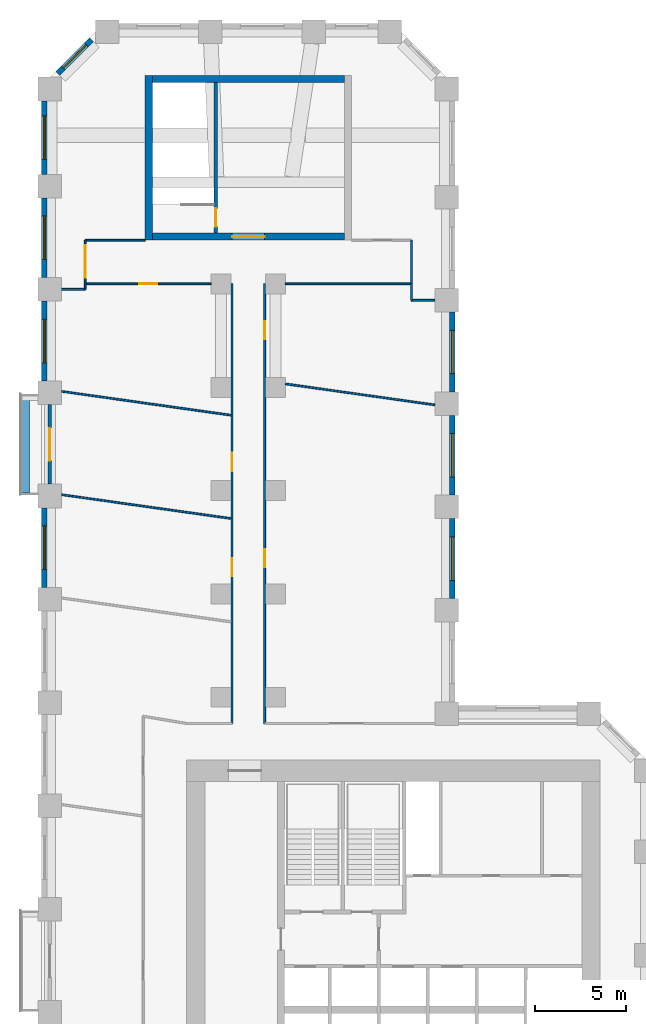
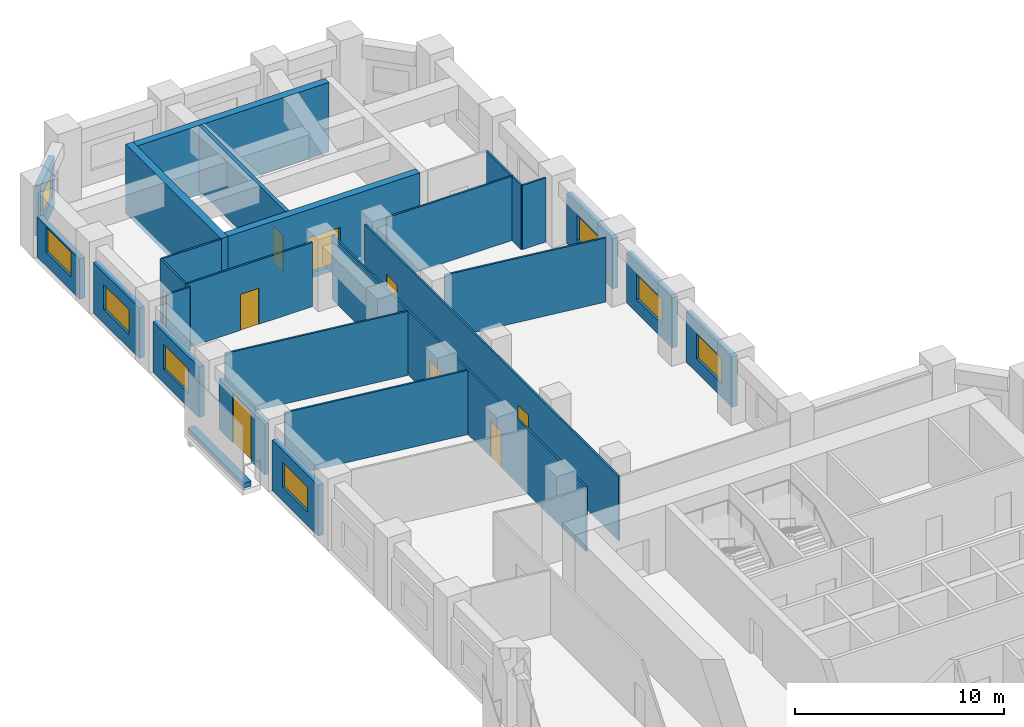
# One storey, part 8 of 11: 28 walls, 9 doors, 8 windows, 17 openings.
"""IFC4 building model written with IfcOpenShell, lengths in metres."""

from ifc_helpers import new_model, si_unit, direction, frame, frame_2d, origin, place, context, subcontext, project, spatial, rectangle, extrude, material, layer, layer_set, type_object, element, fill, save


model = new_model("IFC4")

# Units and contexts
model_context = context("Model", 3, precision=1e-05, world=origin(), true_north=direction((0.0, 1.0)))
body_context = subcontext(model_context, "Body", "Model", "MODEL_VIEW")
ifc_project = project(units=[si_unit("LENGTHUNIT", "METRE"), si_unit("AREAUNIT", "SQUARE_METRE"), si_unit("VOLUMEUNIT", "CUBIC_METRE"), si_unit("PLANEANGLEUNIT", "RADIAN"), si_unit("MASSUNIT", "GRAM", prefix="KILO")], contexts=[model_context])

# Site, building, storey
site_placement = place(None, origin())
site = spatial("IfcSite", under=ifc_project, at=site_placement, CompositionType="ELEMENT")
building_placement = place(site_placement, origin())
building = spatial("IfcBuilding", under=site, at=building_placement, Name="Meshkara Civic Tower", CompositionType="ELEMENT")
storey_placement = place(building_placement, frame((0.0, 0.0, 151.800048828125)))
storey = spatial("IfcBuildingStorey", under=building, at=storey_placement, Name="L34", CompositionType="ELEMENT", Elevation=151.800048828125)

# Wall, opening, door
ifc_material_1 = material(Name="Corridor wall 100")
ifc_layer_1 = layer(ifc_material_1, 0.10009765625)
ifc_layer_set_1 = layer_set([ifc_layer_1], Name="Corridor wall 100")
wall_type_1 = type_object("IfcWallType", Name="Corridor wall 100", PredefinedType="PARTITIONING", material=ifc_layer_set_1)
wall_1_placement = place(storey_placement, frame((2.39990234375, 63.169921875, 0.0), z_axis=(0.0, 0.0, 1.0), x_axis=(1.0, 0.0, 0.0)))
wall_1 = element("IfcWall", 1, at=wall_1_placement, inside=storey, type_object=wall_type_1, Name="L34-W001", PredefinedType="PARTITIONING", context=body_context, shape_type="SweptSolid", body=[
    extrude(rectangle(XDim=6.9501953125, YDim=0.10009765625, at=frame_2d((3.47509765625, 0.0))), origin(), (0.0, 0.0, 1.0), 3.75),
])
opening_1_placement = place(wall_1_placement, frame((2.97998046875, 0.0, 0.0)))
opening_1 = element("IfcOpeningElement", 2, at=opening_1_placement, cuts=wall_1, Name="Opening L34-D024", PredefinedType="OPENING", context=body_context, shape_type="SweptSolid", body=[
    extrude(rectangle(XDim=1.0, YDim=2.10009765625, at=frame_2d((0.5, 1.050048828125))), frame((0.0, 0.06005859375, 0.0), z_axis=(0.0, -1.0, 0.0), x_axis=(1.0, 0.0, 0.0)), (0.0, 0.0, 1.0), 0.1201171875),
])
ifc_material_2 = material(Name="Door 1000 x 2100")
door_type_1 = type_object("IfcDoorType", Name="Door 1000 x 2100", OperationType="SINGLE_SWING_LEFT", PredefinedType="DOOR", material=ifc_material_2)
door_1_placement = place(opening_1_placement, origin())
door_1 = element("IfcDoor", 3, at=door_1_placement, inside=storey, type_object=door_type_1, Name="L34-D024", OperationType="SINGLE_SWING_LEFT", OverallHeight=2.10009765625, OverallWidth=1.0, PredefinedType="DOOR", context=body_context, shape_type="SweptSolid", body=[
    extrude(rectangle(XDim=1.0, YDim=2.10009765625, at=frame_2d((0.5, 1.050048828125))), frame((0.0, 0.02490234375, 0.0), z_axis=(0.0, -1.0, 0.0), x_axis=(1.0, 0.0, 0.0)), (0.0, 0.0, 1.0), 0.050048828125),
])
fill(opening_1, door_1)

wall_2_placement = place(storey_placement, frame((2.39990234375, 65.570068359375, 0.0), z_axis=(0.0, 0.0, 1.0), x_axis=(0.0, -1.0, 0.0)))
wall_2 = element("IfcWall", 4, at=wall_2_placement, inside=storey, type_object=wall_type_1, Name="L34-W002", PredefinedType="PARTITIONING", context=body_context, shape_type="SweptSolid", body=[
    extrude(rectangle(XDim=2.400146484375, YDim=0.10009765625, at=frame_2d((1.2001953125, 0.0))), origin(), (0.0, 0.0, 1.0), 3.75),
])
opening_2_placement = place(wall_2_placement, frame((0.280029296875, 0.0, 0.0)))
opening_2 = element("IfcOpeningElement", 5, at=opening_2_placement, cuts=wall_2, Name="Opening L34-D023", PredefinedType="OPENING", context=body_context, shape_type="SweptSolid", body=[
    extrude(rectangle(XDim=1.800048828125, YDim=2.10009765625, at=frame_2d((0.89990234375, 1.050048828125))), frame((0.0, 0.06005859375, 0.0), z_axis=(0.0, -1.0, 0.0), x_axis=(1.0, 0.0, 0.0)), (0.0, 0.0, 1.0), 0.1201171875),
])
ifc_material_3 = material(Name="Door pair 1800 x 2100")
door_type_2 = type_object("IfcDoorType", Name="Door pair 1800 x 2100", OperationType="SINGLE_SWING_LEFT", PredefinedType="DOOR", material=ifc_material_3)
door_2_placement = place(opening_2_placement, origin())
door_2 = element("IfcDoor", 6, at=door_2_placement, inside=storey, type_object=door_type_2, Name="L34-D023", OperationType="DOUBLE_DOOR_SINGLE_SWING", OverallHeight=2.10009765625, OverallWidth=1.800048828125, PredefinedType="DOOR", context=body_context, shape_type="SweptSolid", body=[
    extrude(rectangle(XDim=1.800048828125, YDim=2.10009765625, at=frame_2d((0.89990234375, 1.050048828125))), frame((0.0, 0.02490234375, 0.0), z_axis=(0.0, -1.0, 0.0), x_axis=(1.0, 0.0, 0.0)), (0.0, 0.0, 1.0), 0.050048828125),
])
fill(opening_2, door_2)

# Wall
wall_3_placement = place(storey_placement, frame((5.699951171875, 65.570068359375, 0.0), z_axis=(0.0, 0.0, 1.0), x_axis=(-1.0, 0.0, 0.0)))
element("IfcWall", 7, at=wall_3_placement, inside=storey, type_object=wall_type_1, Name="L34-W005", PredefinedType="PARTITIONING", context=body_context, shape_type="SweptSolid", body=[
    extrude(rectangle(XDim=3.300048828125, YDim=0.10009765625, at=frame_2d((1.64990234375, 0.0))), origin(), (0.0, 0.0, 1.0), 3.75),
])

# Wall, openings, doors
wall_4_placement = place(storey_placement, frame((10.5, 63.169921875, 0.0), z_axis=(0.0, 0.0, 1.0), x_axis=(0.0, -1.0, 0.0)))
wall_4 = element("IfcWall", 8, at=wall_4_placement, inside=storey, type_object=wall_type_1, Name="L34-W013", PredefinedType="PARTITIONING", context=body_context, shape_type="SweptSolid", body=[
    extrude(rectangle(XDim=24.27001953125, YDim=0.10009765625, at=frame_2d((12.135009765625, 0.0))), origin(), (0.0, 0.0, 1.0), 3.75),
])
opening_3_placement = place(wall_4_placement, frame((15.137939453125, 0.0, 0.0)))
opening_3 = element("IfcOpeningElement", 9, at=opening_3_placement, cuts=wall_4, Name="Opening L34-D020", PredefinedType="OPENING", context=body_context, shape_type="SweptSolid", body=[
    extrude(rectangle(XDim=1.0, YDim=2.10009765625, at=frame_2d((0.5, 1.050048828125))), frame((0.0, 0.06005859375, 0.0), z_axis=(0.0, -1.0, 0.0), x_axis=(1.0, 0.0, 0.0)), (0.0, 0.0, 1.0), 0.1201171875),
])
opening_4_placement = place(wall_4_placement, frame((9.337890625, 0.0, 0.0)))
opening_4 = element("IfcOpeningElement", 10, at=opening_4_placement, cuts=wall_4, Name="Opening L34-D021", PredefinedType="OPENING", context=body_context, shape_type="SweptSolid", body=[
    extrude(rectangle(XDim=1.0, YDim=2.10009765625, at=frame_2d((0.5, 1.050048828125))), frame((0.0, 0.06005859375, 0.0), z_axis=(0.0, -1.0, 0.0), x_axis=(1.0, 0.0, 0.0)), (0.0, 0.0, 1.0), 0.1201171875),
])
door_3_placement = place(opening_3_placement, origin())
door_3 = element("IfcDoor", 11, at=door_3_placement, inside=storey, type_object=door_type_1, Name="L34-D020", OperationType="SINGLE_SWING_RIGHT", OverallHeight=2.10009765625, OverallWidth=1.0, PredefinedType="DOOR", context=body_context, shape_type="SweptSolid", body=[
    extrude(rectangle(XDim=1.0, YDim=2.10009765625, at=frame_2d((0.5, 1.050048828125))), frame((0.0, 0.02490234375, 0.0), z_axis=(0.0, -1.0, 0.0), x_axis=(1.0, 0.0, 0.0)), (0.0, 0.0, 1.0), 0.050048828125),
])
fill(opening_3, door_3)
door_4_placement = place(opening_4_placement, origin())
door_4 = element("IfcDoor", 12, at=door_4_placement, inside=storey, type_object=door_type_1, Name="L34-D021", OperationType="SINGLE_SWING_RIGHT", OverallHeight=2.10009765625, OverallWidth=1.0, PredefinedType="DOOR", context=body_context, shape_type="SweptSolid", body=[
    extrude(rectangle(XDim=1.0, YDim=2.10009765625, at=frame_2d((0.5, 1.050048828125))), frame((0.0, 0.02490234375, 0.0), z_axis=(0.0, -1.0, 0.0), x_axis=(1.0, 0.0, 0.0)), (0.0, 0.0, 1.0), 0.050048828125),
])
fill(opening_4, door_4)

wall_5_placement = place(storey_placement, frame((12.300048828125, 63.169921875, 0.0), z_axis=(0.0, 0.0, 1.0), x_axis=(0.0, -1.0, 0.0)))
wall_5 = element("IfcWall", 13, at=wall_5_placement, inside=storey, type_object=wall_type_1, Name="L34-W014", PredefinedType="PARTITIONING", context=body_context, shape_type="SweptSolid", body=[
    extrude(rectangle(XDim=24.27001953125, YDim=0.10009765625, at=frame_2d((12.135009765625, 0.0))), origin(), (0.0, 0.0, 1.0), 3.75),
])
opening_5_placement = place(wall_5_placement, frame((14.64892578125, 0.0, 0.0)))
opening_5 = element("IfcOpeningElement", 14, at=opening_5_placement, cuts=wall_5, Name="Opening L34-D022", PredefinedType="OPENING", context=body_context, shape_type="SweptSolid", body=[
    extrude(rectangle(XDim=1.0, YDim=2.10009765625, at=frame_2d((0.5, 1.050048828125))), frame((0.0, 0.06005859375, 0.0), z_axis=(0.0, -1.0, 0.0), x_axis=(1.0, 0.0, 0.0)), (0.0, 0.0, 1.0), 0.1201171875),
])
opening_6_placement = place(wall_5_placement, frame((2.080078125, 0.0, 0.0)))
opening_6 = element("IfcOpeningElement", 15, at=opening_6_placement, cuts=wall_5, Name="Opening L34-D025", PredefinedType="OPENING", context=body_context, shape_type="SweptSolid", body=[
    extrude(rectangle(XDim=1.0, YDim=2.10009765625, at=frame_2d((0.5, 1.050048828125))), frame((0.0, 0.06005859375, 0.0), z_axis=(0.0, -1.0, 0.0), x_axis=(1.0, 0.0, 0.0)), (0.0, 0.0, 1.0), 0.1201171875),
])
door_5_placement = place(opening_5_placement, origin())
door_5 = element("IfcDoor", 16, at=door_5_placement, inside=storey, type_object=door_type_1, Name="L34-D022", OperationType="SINGLE_SWING_RIGHT", OverallHeight=2.10009765625, OverallWidth=1.0, PredefinedType="DOOR", context=body_context, shape_type="SweptSolid", body=[
    extrude(rectangle(XDim=1.0, YDim=2.10009765625, at=frame_2d((0.5, 1.050048828125))), frame((0.0, 0.02490234375, 0.0), z_axis=(0.0, -1.0, 0.0), x_axis=(1.0, 0.0, 0.0)), (0.0, 0.0, 1.0), 0.050048828125),
])
fill(opening_5, door_5)
door_6_placement = place(opening_6_placement, origin())
door_6 = element("IfcDoor", 17, at=door_6_placement, inside=storey, type_object=door_type_1, Name="L34-D025", OperationType="SINGLE_SWING_LEFT", OverallHeight=2.10009765625, OverallWidth=1.0, PredefinedType="DOOR", context=body_context, shape_type="SweptSolid", body=[
    extrude(rectangle(XDim=1.0, YDim=2.10009765625, at=frame_2d((0.5, 1.050048828125))), frame((0.0, 0.02490234375, 0.0), z_axis=(0.0, -1.0, 0.0), x_axis=(1.0, 0.0, 0.0)), (0.0, 0.0, 1.0), 0.050048828125),
])
fill(opening_6, door_6)

# Walls
wall_6_placement = place(storey_placement, frame((13.449951171875, 63.169921875, 0.0), z_axis=(0.0, 0.0, 1.0), x_axis=(1.0, 0.0, 0.0)))
element("IfcWall", 18, at=wall_6_placement, inside=storey, type_object=wall_type_1, Name="L34-W016", PredefinedType="PARTITIONING", context=body_context, shape_type="SweptSolid", body=[
    extrude(rectangle(XDim=6.949951171875, YDim=0.10009765625, at=frame_2d((3.47509765625, 0.0))), origin(), (0.0, 0.0, 1.0), 3.75),
])
wall_7_placement = place(storey_placement, frame((20.39990234375, 63.169921875, 0.0), z_axis=(0.0, 0.0, 1.0), x_axis=(0.0, 1.0, 0.0)))
element("IfcWall", 19, at=wall_7_placement, inside=storey, type_object=wall_type_1, Name="L34-W017", PredefinedType="PARTITIONING", context=body_context, shape_type="SweptSolid", body=[
    extrude(rectangle(XDim=2.400146484375, YDim=0.10009765625, at=frame_2d((1.2001953125, 0.0))), origin(), (0.0, 0.0, 1.0), 3.75),
])

# Wall, opening, window
ifc_material_4 = material(Name="Insulated infill panel with bronze anodised aluminium cladding", Category="aluminium")
ifc_layer_2 = layer(ifc_material_4, 0.300048828125)
ifc_layer_set_2 = layer_set([ifc_layer_2], Name="EXTERNAL INFILL WALL 300")
wall_type_2 = type_object("IfcWallType", Name="EXTERNAL INFILL WALL 300", PredefinedType="SOLIDWALL", material=ifc_layer_set_2)
wall_8_placement = place(storey_placement, frame((22.64990234375, 45.800048828125, 0.0), z_axis=(0.0, 0.0, 1.0), x_axis=(0.0, 1.0, 0.0)))
wall_8 = element("IfcWall", 20, at=wall_8_placement, inside=storey, type_object=wall_type_2, Name="External wall", PredefinedType="SOLIDWALL", context=body_context, shape_type="SweptSolid", body=[
    extrude(rectangle(XDim=4.39990234375, YDim=0.300048828125, at=frame_2d((2.199951171875, 0.0))), origin(), (0.0, 0.0, 1.0), 2.949951171875),
])
opening_7_placement = place(wall_8_placement, frame((1.0, 0.0, 0.800048828125)))
opening_7 = element("IfcOpeningElement", 21, at=opening_7_placement, cuts=wall_8, Name="Opening W8", PredefinedType="OPENING", context=body_context, shape_type="SweptSolid", body=[
    extrude(rectangle(XDim=2.39990234375, YDim=1.449951171875, at=frame_2d((1.199951171875, 0.72509765625))), frame((0.0, 0.159912109375, 0.0), z_axis=(0.0, -1.0, 0.0), x_axis=(1.0, 0.0, 0.0)), (0.0, 0.0, 1.0), 0.320068359375),
])
ifc_material_5 = material(Name="Tinted double glazing", Category="glass")
window_type_1 = type_object("IfcWindowType", Name="WINDOW 2400x1450", PartitioningType="DOUBLE_PANEL_VERTICAL", PredefinedType="WINDOW", material=ifc_material_5)
window_1_placement = place(opening_7_placement, origin())
window_1 = element("IfcWindow", 22, at=window_1_placement, inside=storey, type_object=window_type_1, Name="Window", OverallHeight=1.449951171875, OverallWidth=2.39990234375, PartitioningType="DOUBLE_PANEL_VERTICAL", PredefinedType="WINDOW", context=body_context, shape_type="SweptSolid", body=[
    extrude(rectangle(XDim=2.39990234375, YDim=1.449951171875, at=frame_2d((1.199951171875, 0.72509765625))), frame((0.0, 0.030029296875, 0.0), z_axis=(0.0, -1.0, 0.0), x_axis=(1.0, 0.0, 0.0)), (0.0, 0.0, 1.0), 0.06005859375),
])
fill(opening_7, window_1)

wall_9_placement = place(storey_placement, frame((22.64990234375, 51.5, 0.0), z_axis=(0.0, 0.0, 1.0), x_axis=(0.0, 1.0, 0.0)))
wall_9 = element("IfcWall", 23, at=wall_9_placement, inside=storey, type_object=wall_type_2, Name="External wall", PredefinedType="SOLIDWALL", context=body_context, shape_type="SweptSolid", body=[
    extrude(rectangle(XDim=4.39990234375, YDim=0.300048828125, at=frame_2d((2.199951171875, 0.0))), origin(), (0.0, 0.0, 1.0), 2.949951171875),
])
opening_8_placement = place(wall_9_placement, frame((1.0, 0.0, 0.800048828125)))
opening_8 = element("IfcOpeningElement", 24, at=opening_8_placement, cuts=wall_9, Name="Opening W8", PredefinedType="OPENING", context=body_context, shape_type="SweptSolid", body=[
    extrude(rectangle(XDim=2.39990234375, YDim=1.449951171875, at=frame_2d((1.199951171875, 0.72509765625))), frame((0.0, 0.159912109375, 0.0), z_axis=(0.0, -1.0, 0.0), x_axis=(1.0, 0.0, 0.0)), (0.0, 0.0, 1.0), 0.320068359375),
])
window_2_placement = place(opening_8_placement, origin())
window_2 = element("IfcWindow", 25, at=window_2_placement, inside=storey, type_object=window_type_1, Name="Window", OverallHeight=1.449951171875, OverallWidth=2.39990234375, PartitioningType="DOUBLE_PANEL_VERTICAL", PredefinedType="WINDOW", context=body_context, shape_type="SweptSolid", body=[
    extrude(rectangle(XDim=2.39990234375, YDim=1.449951171875, at=frame_2d((1.199951171875, 0.72509765625))), frame((0.0, 0.030029296875, 0.0), z_axis=(0.0, -1.0, 0.0), x_axis=(1.0, 0.0, 0.0)), (0.0, 0.0, 1.0), 0.06005859375),
])
fill(opening_8, window_2)

wall_10_placement = place(storey_placement, frame((22.64990234375, 57.199951171875, 0.0), z_axis=(0.0, 0.0, 1.0), x_axis=(0.0, 1.0, 0.0)))
wall_10 = element("IfcWall", 26, at=wall_10_placement, inside=storey, type_object=wall_type_2, Name="External wall", PredefinedType="SOLIDWALL", context=body_context, shape_type="SweptSolid", body=[
    extrude(rectangle(XDim=4.400146484375, YDim=0.300048828125, at=frame_2d((2.2001953125, 0.0))), origin(), (0.0, 0.0, 1.0), 2.949951171875),
])
opening_9_placement = place(wall_10_placement, frame((1.0, 0.0, 0.800048828125)))
opening_9 = element("IfcOpeningElement", 27, at=opening_9_placement, cuts=wall_10, Name="Opening W8", PredefinedType="OPENING", context=body_context, shape_type="SweptSolid", body=[
    extrude(rectangle(XDim=2.39990234375, YDim=1.449951171875, at=frame_2d((1.199951171875, 0.72509765625))), frame((0.0, 0.159912109375, 0.0), z_axis=(0.0, -1.0, 0.0), x_axis=(1.0, 0.0, 0.0)), (0.0, 0.0, 1.0), 0.320068359375),
])
window_3_placement = place(opening_9_placement, origin())
window_3 = element("IfcWindow", 28, at=window_3_placement, inside=storey, type_object=window_type_1, Name="Window", OverallHeight=1.449951171875, OverallWidth=2.39990234375, PartitioningType="DOUBLE_PANEL_VERTICAL", PredefinedType="WINDOW", context=body_context, shape_type="SweptSolid", body=[
    extrude(rectangle(XDim=2.39990234375, YDim=1.449951171875, at=frame_2d((1.199951171875, 0.72509765625))), frame((0.0, 0.030029296875, 0.0), z_axis=(0.0, -1.0, 0.0), x_axis=(1.0, 0.0, 0.0)), (0.0, 0.0, 1.0), 0.06005859375),
])
fill(opening_9, window_3)

wall_11_placement = place(storey_placement, frame((2.743896484375, 76.632080078125, 0.0), z_axis=(0.0, 0.0, 1.0), x_axis=(-0.707060274772, -0.707153284542, 0.0)))
wall_11 = element("IfcWall", 29, at=wall_11_placement, inside=storey, type_object=wall_type_2, Name="External wall", PredefinedType="SOLIDWALL", context=body_context, shape_type="SweptSolid", body=[
    extrude(rectangle(XDim=2.625, YDim=0.300048828125, at=frame_2d((1.3125, 0.0))), origin(), (0.0, 0.0, 1.0), 2.949951171875),
])
opening_10_placement = place(wall_11_placement, frame((0.412109375, 0.0, 0.800048828125)))
opening_10 = element("IfcOpeningElement", 30, at=opening_10_placement, cuts=wall_11, Name="Opening W10", PredefinedType="OPENING", context=body_context, shape_type="SweptSolid", body=[
    extrude(rectangle(XDim=1.800048828125, YDim=1.449951171875, at=frame_2d((0.89990234375, 0.72509765625))), frame((0.0, 0.159912109375, 0.0), z_axis=(0.0, -1.0, 0.0), x_axis=(1.0, 0.0, 0.0)), (0.0, 0.0, 1.0), 0.320068359375),
])
ifc_material_6 = material(Name="Tinted double glazing", Category="glass")
window_type_2 = type_object("IfcWindowType", Name="WINDOW 1800x1450", PartitioningType="DOUBLE_PANEL_VERTICAL", PredefinedType="WINDOW", material=ifc_material_6)
window_4_placement = place(opening_10_placement, origin())
window_4 = element("IfcWindow", 31, at=window_4_placement, inside=storey, type_object=window_type_2, Name="Window", OverallHeight=1.449951171875, OverallWidth=1.800048828125, PartitioningType="DOUBLE_PANEL_VERTICAL", PredefinedType="WINDOW", context=body_context, shape_type="SweptSolid", body=[
    extrude(rectangle(XDim=1.800048828125, YDim=1.449951171875, at=frame_2d((0.89990234375, 0.72509765625))), frame((0.0, 0.030029296875, 0.0), z_axis=(0.0, -1.0, 0.0), x_axis=(1.0, 0.0, 0.0)), (0.0, 0.0, 1.0), 0.06005859375),
])
fill(opening_10, window_4)

wall_12_placement = place(storey_placement, frame((0.14990234375, 73.263916015625, 0.0), z_axis=(0.0, 0.0, 1.0), x_axis=(0.0, -1.0, 0.0)))
wall_12 = element("IfcWall", 32, at=wall_12_placement, inside=storey, type_object=wall_type_2, Name="External wall", PredefinedType="SOLIDWALL", context=body_context, shape_type="SweptSolid", body=[
    extrude(rectangle(XDim=4.058837890625, YDim=0.300048828125, at=frame_2d((2.029296875, 0.0))), origin(), (0.0, 0.0, 1.0), 2.349853515625),
])
opening_11_placement = place(wall_12_placement, frame((0.8291015625, 0.0, 0.800048828125)))
opening_11 = element("IfcOpeningElement", 33, at=opening_11_placement, cuts=wall_12, Name="Opening W8", PredefinedType="OPENING", context=body_context, shape_type="SweptSolid", body=[
    extrude(rectangle(XDim=2.39990234375, YDim=1.449951171875, at=frame_2d((1.199951171875, 0.72509765625))), frame((0.0, 0.159912109375, 0.0), z_axis=(0.0, -1.0, 0.0), x_axis=(1.0, 0.0, 0.0)), (0.0, 0.0, 1.0), 0.320068359375),
])
window_5_placement = place(opening_11_placement, origin())
window_5 = element("IfcWindow", 34, at=window_5_placement, inside=storey, type_object=window_type_1, Name="Window", OverallHeight=1.449951171875, OverallWidth=2.39990234375, PartitioningType="DOUBLE_PANEL_VERTICAL", PredefinedType="WINDOW", context=body_context, shape_type="SweptSolid", body=[
    extrude(rectangle(XDim=2.39990234375, YDim=1.449951171875, at=frame_2d((1.199951171875, 0.72509765625))), frame((0.0, 0.030029296875, 0.0), z_axis=(0.0, -1.0, 0.0), x_axis=(1.0, 0.0, 0.0)), (0.0, 0.0, 1.0), 0.06005859375),
])
fill(opening_11, window_5)

wall_13_placement = place(storey_placement, frame((0.14990234375, 67.905029296875, 0.0), z_axis=(0.0, 0.0, 1.0), x_axis=(0.0, -1.0, 0.0)))
wall_13 = element("IfcWall", 35, at=wall_13_placement, inside=storey, type_object=wall_type_2, Name="External wall", PredefinedType="SOLIDWALL", context=body_context, shape_type="SweptSolid", body=[
    extrude(rectangle(XDim=4.400146484375, YDim=0.300048828125, at=frame_2d((2.2001953125, 0.0))), origin(), (0.0, 0.0, 1.0), 2.949951171875),
])
opening_12_placement = place(wall_13_placement, frame((1.0, 0.0, 0.800048828125)))
opening_12 = element("IfcOpeningElement", 36, at=opening_12_placement, cuts=wall_13, Name="Opening W8", PredefinedType="OPENING", context=body_context, shape_type="SweptSolid", body=[
    extrude(rectangle(XDim=2.39990234375, YDim=1.449951171875, at=frame_2d((1.199951171875, 0.72509765625))), frame((0.0, 0.159912109375, 0.0), z_axis=(0.0, -1.0, 0.0), x_axis=(1.0, 0.0, 0.0)), (0.0, 0.0, 1.0), 0.320068359375),
])
window_6_placement = place(opening_12_placement, origin())
window_6 = element("IfcWindow", 37, at=window_6_placement, inside=storey, type_object=window_type_1, Name="Window", OverallHeight=1.449951171875, OverallWidth=2.39990234375, PartitioningType="DOUBLE_PANEL_VERTICAL", PredefinedType="WINDOW", context=body_context, shape_type="SweptSolid", body=[
    extrude(rectangle(XDim=2.39990234375, YDim=1.449951171875, at=frame_2d((1.199951171875, 0.72509765625))), frame((0.0, 0.030029296875, 0.0), z_axis=(0.0, -1.0, 0.0), x_axis=(1.0, 0.0, 0.0)), (0.0, 0.0, 1.0), 0.06005859375),
])
fill(opening_12, window_6)

wall_14_placement = place(storey_placement, frame((0.14990234375, 62.205078125, 0.0), z_axis=(0.0, 0.0, 1.0), x_axis=(0.0, -1.0, 0.0)))
wall_14 = element("IfcWall", 38, at=wall_14_placement, inside=storey, type_object=wall_type_2, Name="External wall", PredefinedType="SOLIDWALL", context=body_context, shape_type="SweptSolid", body=[
    extrude(rectangle(XDim=4.400146484375, YDim=0.300048828125, at=frame_2d((2.2001953125, 0.0))), origin(), (0.0, 0.0, 1.0), 2.949951171875),
])
opening_13_placement = place(wall_14_placement, frame((1.0, 0.0, 0.800048828125)))
opening_13 = element("IfcOpeningElement", 39, at=opening_13_placement, cuts=wall_14, Name="Opening W8", PredefinedType="OPENING", context=body_context, shape_type="SweptSolid", body=[
    extrude(rectangle(XDim=2.39990234375, YDim=1.449951171875, at=frame_2d((1.199951171875, 0.72509765625))), frame((0.0, 0.159912109375, 0.0), z_axis=(0.0, -1.0, 0.0), x_axis=(1.0, 0.0, 0.0)), (0.0, 0.0, 1.0), 0.320068359375),
])
window_7_placement = place(opening_13_placement, origin())
window_7 = element("IfcWindow", 40, at=window_7_placement, inside=storey, type_object=window_type_1, Name="Window", OverallHeight=1.449951171875, OverallWidth=2.39990234375, PartitioningType="DOUBLE_PANEL_VERTICAL", PredefinedType="WINDOW", context=body_context, shape_type="SweptSolid", body=[
    extrude(rectangle(XDim=2.39990234375, YDim=1.449951171875, at=frame_2d((1.199951171875, 0.72509765625))), frame((0.0, 0.030029296875, 0.0), z_axis=(0.0, -1.0, 0.0), x_axis=(1.0, 0.0, 0.0)), (0.0, 0.0, 1.0), 0.06005859375),
])
fill(opening_13, window_7)

wall_15_placement = place(storey_placement, frame((0.14990234375, 50.804931640625, 0.0), z_axis=(0.0, 0.0, 1.0), x_axis=(0.0, -1.0, 0.0)))
wall_15 = element("IfcWall", 41, at=wall_15_placement, inside=storey, type_object=wall_type_2, Name="External wall", PredefinedType="SOLIDWALL", context=body_context, shape_type="SweptSolid", body=[
    extrude(rectangle(XDim=4.39990234375, YDim=0.300048828125, at=frame_2d((2.199951171875, 0.0))), origin(), (0.0, 0.0, 1.0), 2.949951171875),
])
opening_14_placement = place(wall_15_placement, frame((1.0, 0.0, 0.800048828125)))
opening_14 = element("IfcOpeningElement", 42, at=opening_14_placement, cuts=wall_15, Name="Opening W8", PredefinedType="OPENING", context=body_context, shape_type="SweptSolid", body=[
    extrude(rectangle(XDim=2.39990234375, YDim=1.449951171875, at=frame_2d((1.199951171875, 0.72509765625))), frame((0.0, 0.159912109375, 0.0), z_axis=(0.0, -1.0, 0.0), x_axis=(1.0, 0.0, 0.0)), (0.0, 0.0, 1.0), 0.320068359375),
])
window_8_placement = place(opening_14_placement, origin())
window_8 = element("IfcWindow", 43, at=window_8_placement, inside=storey, type_object=window_type_1, Name="Window", OverallHeight=1.449951171875, OverallWidth=2.39990234375, PartitioningType="DOUBLE_PANEL_VERTICAL", PredefinedType="WINDOW", context=body_context, shape_type="SweptSolid", body=[
    extrude(rectangle(XDim=2.39990234375, YDim=1.449951171875, at=frame_2d((1.199951171875, 0.72509765625))), frame((0.0, 0.030029296875, 0.0), z_axis=(0.0, -1.0, 0.0), x_axis=(1.0, 0.0, 0.0)), (0.0, 0.0, 1.0), 0.06005859375),
])
fill(opening_14, window_8)

# Wall
ifc_material_7 = material(Name="Concrete C70", Category="concrete")
ifc_layer_3 = layer(ifc_material_7, 0.39990234375)
ifc_layer_set_3 = layer_set([ifc_layer_3], Name="End core ring wall 400 C70")
wall_type_3 = type_object("IfcWallType", Name="End core ring wall 400 C70", PredefinedType="SHEAR", material=ifc_layer_set_3)
wall_16_placement = place(storey_placement, frame((5.89990234375, 65.570068359375, -0.300048828125), z_axis=(0.0, 0.0, 1.0), x_axis=(0.0, 1.0, 0.0)))
element("IfcWall", 44, at=wall_16_placement, inside=storey, type_object=wall_type_3, Name="L34-C026", PredefinedType="SHEAR", context=body_context, shape_type="SweptSolid", body=[
    extrude(rectangle(XDim=9.099853515625, YDim=0.39990234375, at=frame_2d((4.5498046875, 0.0))), origin(), (0.0, 0.0, 1.0), 4.050048828125),
])

# Wall, opening, door
wall_17_placement = place(storey_placement, frame((6.10009765625, 65.77001953125, -0.300048828125), z_axis=(0.0, 0.0, 1.0), x_axis=(1.0, 0.0, 0.0)))
wall_17 = element("IfcWall", 45, at=wall_17_placement, inside=storey, type_object=wall_type_3, Name="L34-C028", PredefinedType="SHEAR", context=body_context, shape_type="SweptSolid", body=[
    extrude(rectangle(XDim=10.599853515625, YDim=0.39990234375, at=frame_2d((5.2998046875, 0.0))), origin(), (0.0, 0.0, 1.0), 4.050048828125),
])
opening_15_placement = place(wall_17_placement, frame((4.39990234375, 0.0, 0.300048828125)))
opening_15 = element("IfcOpeningElement", 46, at=opening_15_placement, cuts=wall_17, Name="Opening L34-K102", PredefinedType="OPENING", context=body_context, shape_type="SweptSolid", body=[
    extrude(rectangle(XDim=1.800048828125, YDim=2.10009765625, at=frame_2d((0.89990234375, 1.050048828125))), frame((0.0, 0.2099609375, 0.0), z_axis=(0.0, -1.0, 0.0), x_axis=(1.0, 0.0, 0.0)), (0.0, 0.0, 1.0), 0.419921875),
])
ifc_material_8 = material(Name="Fire-rated door leaf in steel frame", Category="steel")
door_type_3 = type_object("IfcDoorType", Name="Core double door 1800 EI 60", OperationType="DOUBLE_DOOR_SINGLE_SWING", PredefinedType="DOOR", material=ifc_material_8)
door_7_placement = place(opening_15_placement, origin())
door_7 = element("IfcDoor", 47, at=door_7_placement, inside=storey, type_object=door_type_3, Name="L34-K102", OperationType="DOUBLE_DOOR_SINGLE_SWING", OverallHeight=2.10009765625, OverallWidth=1.800048828125, PredefinedType="DOOR", context=body_context, shape_type="SweptSolid", body=[
    extrude(rectangle(XDim=1.800048828125, YDim=2.10009765625, at=frame_2d((0.89990234375, 1.050048828125))), frame((0.0, 0.02490234375, 0.0), z_axis=(0.0, -1.0, 0.0), x_axis=(1.0, 0.0, 0.0)), (0.0, 0.0, 1.0), 0.050048828125),
])
fill(opening_15, door_7)

# Wall
wall_18_placement = place(storey_placement, frame((6.10009765625, 74.469970703125, -0.300048828125), z_axis=(0.0, 0.0, 1.0), x_axis=(1.0, 0.0, 0.0)))
element("IfcWall", 48, at=wall_18_placement, inside=storey, type_object=wall_type_3, Name="L34-C029", PredefinedType="SHEAR", context=body_context, shape_type="SweptSolid", body=[
    extrude(rectangle(XDim=10.599853515625, YDim=0.39990234375, at=frame_2d((5.2998046875, 0.0))), origin(), (0.0, 0.0, 1.0), 4.050048828125),
])

# Wall, opening, door
ifc_material_9 = material(Name="Insulated infill panel with bronze anodised aluminium cladding", Category="aluminium")
ifc_layer_4 = layer(ifc_material_9, 0.199951171875)
ifc_layer_set_4 = layer_set([ifc_layer_4], Name="LOGGIA BACK WALL 200")
wall_type_4 = type_object("IfcWallType", Name="LOGGIA BACK WALL 200", PredefinedType="SOLIDWALL", material=ifc_layer_set_4)
wall_19_placement = place(storey_placement, frame((0.449951171875, 56.5048828125, 0.0), z_axis=(0.0, 0.0, 1.0), x_axis=(0.0, -1.0, 0.0)))
wall_19 = element("IfcWall", 49, at=wall_19_placement, inside=storey, type_object=wall_type_4, Name="Loggia wall", PredefinedType="SOLIDWALL", context=body_context, shape_type="SweptSolid", body=[
    extrude(rectangle(XDim=4.39990234375, YDim=0.199951171875, at=frame_2d((2.199951171875, 0.0))), origin(), (0.0, 0.0, 1.0), 2.949951171875),
])
opening_16_placement = place(wall_19_placement, frame((1.300048828125, 0.0, 0.0)))
opening_16 = element("IfcOpeningElement", 50, at=opening_16_placement, cuts=wall_19, Name="Opening L34-L001", PredefinedType="OPENING", context=body_context, shape_type="SweptSolid", body=[
    extrude(rectangle(XDim=1.800048828125, YDim=2.89990234375, at=frame_2d((0.89990234375, 1.449951171875))), frame((0.0, 0.10986328125, 0.0), z_axis=(0.0, -1.0, 0.0), x_axis=(1.0, 0.0, 0.0)), (0.0, 0.0, 1.0), 0.219970703125),
])
ifc_material_10 = material(Name="Tinted double glazing", Category="glass")
door_type_4 = type_object("IfcDoorType", Name="LOGGIA DOOR 1800x2900", OperationType="DOUBLE_DOOR_SINGLE_SWING", PredefinedType="DOOR", material=ifc_material_10)
door_8_placement = place(opening_16_placement, origin())
door_8 = element("IfcDoor", 51, at=door_8_placement, inside=storey, type_object=door_type_4, Name="L34-L001", OperationType="DOUBLE_DOOR_SINGLE_SWING", OverallHeight=2.89990234375, OverallWidth=1.800048828125, PredefinedType="DOOR", context=body_context, shape_type="SweptSolid", body=[
    extrude(rectangle(XDim=1.800048828125, YDim=2.89990234375, at=frame_2d((0.89990234375, 1.449951171875))), frame((0.0, 0.02490234375, 0.0), z_axis=(0.0, -1.0, 0.0), x_axis=(1.0, 0.0, 0.0)), (0.0, 0.0, 1.0), 0.050048828125),
])
fill(opening_16, door_8)

# Walls
ifc_material_11 = material(Name="Concrete C40", Category="concrete")
ifc_layer_5 = layer(ifc_material_11, 0.39990234375)
ifc_layer_set_5 = layer_set([ifc_layer_5], Name="PLANTER TRAY")
wall_type_5 = type_object("IfcWallType", Name="PLANTER TRAY", PredefinedType="SOLIDWALL", material=ifc_layer_set_5)
wall_20_placement = place(storey_placement, frame((-0.8798828125, 56.985107421875, 0.0), z_axis=(0.0, 0.0, 1.0), x_axis=(0.0, -1.0, 0.0)))
element("IfcWall", 52, at=wall_20_placement, inside=storey, type_object=wall_type_5, Name="Planter", PredefinedType="SOLIDWALL", context=body_context, shape_type="SweptSolid", body=[
    extrude(rectangle(XDim=5.360107421875, YDim=0.39990234375, at=frame_2d((2.68017578125, 0.0))), origin(), (0.0, 0.0, 1.0), 0.300048828125),
])
ifc_material_12 = material(Name="Partition 100")
ifc_layer_6 = layer(ifc_material_12, 0.10009765625)
ifc_layer_set_6 = layer_set([ifc_layer_6], Name="Partition 100")
wall_type_6 = type_object("IfcWallType", Name="Partition 100", PredefinedType="PARTITIONING", material=ifc_layer_set_6)
wall_21_placement = place(storey_placement, frame((2.39990234375, 62.85498046875, 0.0), z_axis=(0.0, 0.0, 1.0), x_axis=(-1.0, 0.0, 0.0)))
element("IfcWall", 53, at=wall_21_placement, inside=storey, type_object=wall_type_6, Name="L34-W030", PredefinedType="PARTITIONING", context=body_context, shape_type="SweptSolid", body=[
    extrude(rectangle(XDim=1.2998046875, YDim=0.10009765625, at=frame_2d((0.64990234375, 0.0))), origin(), (0.0, 0.0, 1.0), 3.75),
])
wall_22_placement = place(storey_placement, frame((2.39990234375, 63.174072265625, 0.0), z_axis=(0.0, 0.0, 1.0), x_axis=(0.0, -1.0, 0.0)))
element("IfcWall", 54, at=wall_22_placement, inside=storey, type_object=wall_type_6, Name="L34-W031", PredefinedType="PARTITIONING", context=body_context, shape_type="SweptSolid", body=[
    extrude(rectangle(XDim=0.319091796875, YDim=0.10009765625, at=frame_2d((0.15966796875, 0.0))), origin(), (0.0, 0.0, 1.0), 3.75),
])
for number, where, z_axis, x_axis, name in (
    (55, (10.443115234375, 50.2119140625, 0.0), (0.0, 0.0, 1.0), (-0.990255073415, 0.139265536207, 0.0), "L34-W037"),
    (56, (10.443115234375, 55.912109375, 0.0), (0.0, 0.0, 1.0), (-0.990255073415, 0.139265536207, 0.0), "L34-W038"),
):
    element("IfcWall", number, at=place(storey_placement, frame(where, z_axis=z_axis, x_axis=x_axis)), inside=storey, type_object=wall_type_6, Name=name, PredefinedType="PARTITIONING", context=body_context, shape_type="SweptSolid", body=[
        extrude(rectangle(XDim=9.43505859375, YDim=0.10009765625, at=frame_2d((4.717529296875, 0.0))), origin(), (0.0, 0.0, 1.0), 3.75),
    ])
wall_23_placement = place(storey_placement, frame((20.39990234375, 62.25, 0.0), z_axis=(0.0, 0.0, 1.0), x_axis=(0.0, 1.0, 0.0)))
element("IfcWall", 57, at=wall_23_placement, inside=storey, type_object=wall_type_6, Name="L34-W044", PredefinedType="PARTITIONING", context=body_context, shape_type="SweptSolid", body=[
    extrude(rectangle(XDim=0.924072265625, YDim=0.10009765625, at=frame_2d((0.4619140625, 0.0))), origin(), (0.0, 0.0, 1.0), 3.75),
])
wall_24_placement = place(storey_placement, frame((21.699951171875, 56.47900390625, 0.0), z_axis=(0.0, 0.0, 1.0), x_axis=(-0.990260619465, 0.139226095025, 0.0)))
element("IfcWall", 58, at=wall_24_placement, inside=storey, type_object=wall_type_6, Name="L34-W045", PredefinedType="PARTITIONING", context=body_context, shape_type="SweptSolid", body=[
    extrude(rectangle(XDim=8.3310546875, YDim=0.10009765625, at=frame_2d((4.16552734375, 0.0))), origin(), (0.0, 0.0, 1.0), 3.75),
])
wall_25_placement = place(storey_placement, frame((21.699951171875, 62.25, 0.0), z_axis=(0.0, 0.0, 1.0), x_axis=(-1.0, 0.0, 0.0)))
element("IfcWall", 59, at=wall_25_placement, inside=storey, type_object=wall_type_6, Name="L34-W046", PredefinedType="PARTITIONING", context=body_context, shape_type="SweptSolid", body=[
    extrude(rectangle(XDim=1.300048828125, YDim=0.10009765625, at=frame_2d((0.64990234375, 0.0))), origin(), (0.0, 0.0, 1.0), 3.75),
])

# Wall, opening, door
ifc_material_13 = material(Name="Concrete C40/50", Category="concrete")
ifc_layer_7 = layer(ifc_material_13, 0.199951171875)
ifc_layer_set_7 = layer_set([ifc_layer_7], Name="Stair enclosure wall 200 C40/50")
wall_type_7 = type_object("IfcWallType", Name="Stair enclosure wall 200 C40/50", PredefinedType="SOLIDWALL", material=ifc_layer_set_7)
wall_26_placement = place(storey_placement, frame((9.60009765625, 65.969970703125, 0.0), z_axis=(0.0, 0.0, 1.0), x_axis=(0.0, 1.0, 0.0)))
wall_26 = element("IfcWall", 60, at=wall_26_placement, inside=storey, type_object=wall_type_7, Name="L34-C030", PredefinedType="SOLIDWALL", context=body_context, shape_type="SweptSolid", body=[
    extrude(rectangle(XDim=8.300048828125, YDim=0.199951171875, at=frame_2d((4.14990234375, 0.0))), origin(), (0.0, 0.0, 1.0), 3.75),
])
opening_17_placement = place(wall_26_placement, frame((0.35009765625, 0.0, 0.0)))
opening_17 = element("IfcOpeningElement", 61, at=opening_17_placement, cuts=wall_26, Name="Opening L34-K101", PredefinedType="OPENING", context=body_context, shape_type="SweptSolid", body=[
    extrude(rectangle(XDim=1.0, YDim=2.10009765625, at=frame_2d((0.5, 1.050048828125))), frame((0.0, 0.10986328125, 0.0), z_axis=(0.0, -1.0, 0.0), x_axis=(1.0, 0.0, 0.0)), (0.0, 0.0, 1.0), 0.219970703125),
])
ifc_material_14 = material(Name="Fire-rated door leaf in steel frame", Category="steel")
door_type_5 = type_object("IfcDoorType", Name="Stair door 1000 EI 120", OperationType="SINGLE_SWING_LEFT", PredefinedType="DOOR", material=ifc_material_14)
door_9_placement = place(opening_17_placement, origin())
door_9 = element("IfcDoor", 62, at=door_9_placement, inside=storey, type_object=door_type_5, Name="L34-K101", OperationType="SINGLE_SWING_RIGHT", OverallHeight=2.10009765625, OverallWidth=1.0, PredefinedType="DOOR", context=body_context, shape_type="SweptSolid", body=[
    extrude(rectangle(XDim=1.0, YDim=2.10009765625, at=frame_2d((0.5, 1.050048828125))), frame((0.0, 0.02490234375, 0.0), z_axis=(0.0, -1.0, 0.0), x_axis=(1.0, 0.0, 0.0)), (0.0, 0.0, 1.0), 0.050048828125),
])
fill(opening_17, door_9)

save(model, "model.ifc")
